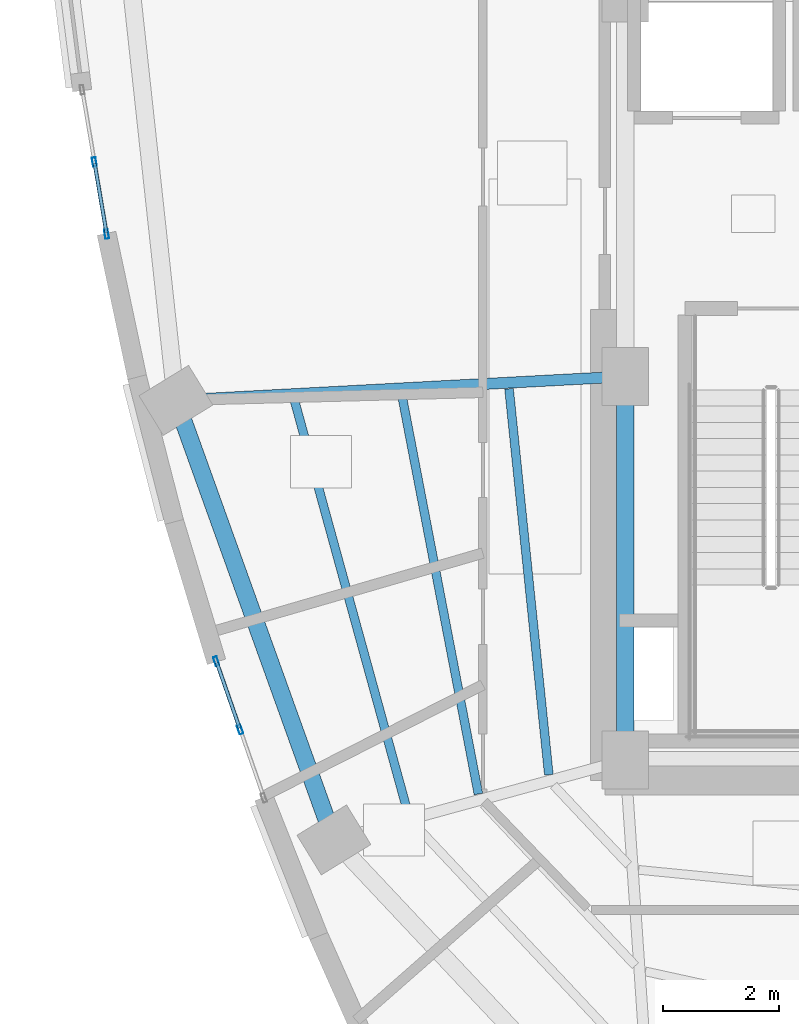
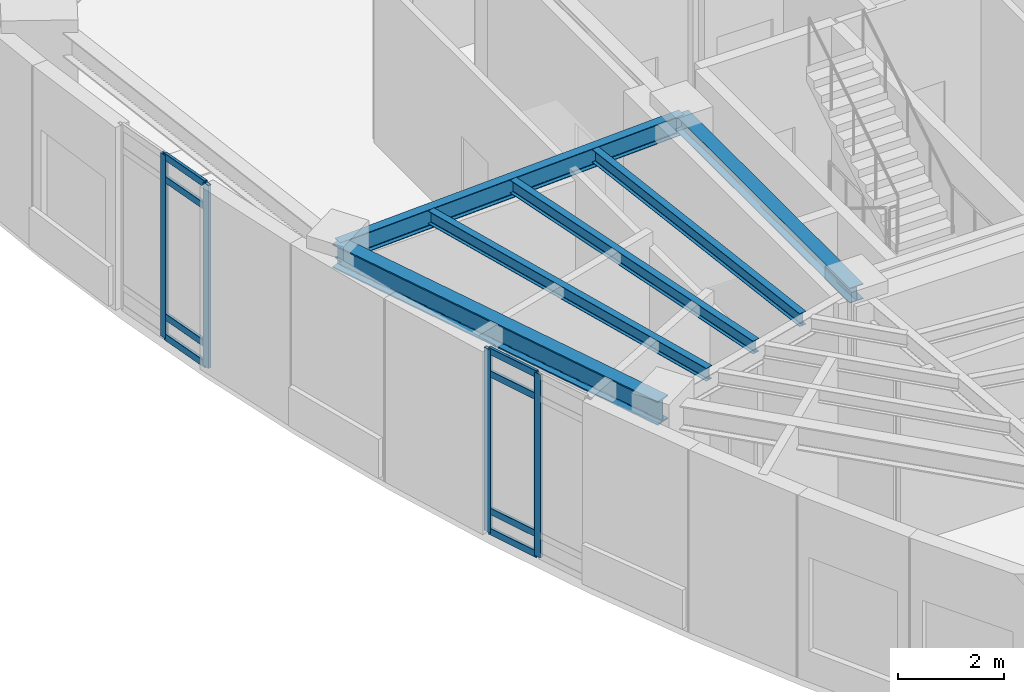
# One storey, part 5 of 18: 12 members, 6 beams, 2 elements without a shape of their own.
"""IFC4 building model written with IfcOpenShell, lengths in metres."""

import ifcopenshell
import ifcopenshell.guid

model = None  # the IFC model being written
_history = None  # IfcOwnerHistory: only IFC2X3 demands one
_inside = {}  # id of a spatial element -> (the spatial element, [elements in it])
_under = {}  # id of a project, library or spatial element -> (it, [spatial elements below it])
_declared = {}  # id of a project -> (the project, [libraries it declares])
_typed = {}  # id of a type object -> (the type object, [elements of that type])
_made_of = {}  # id of a material, layer set ... -> (it, [elements and type objects made of it])


def new_model(schema):
    """Start an empty IFC model of exactly this schema.

    Asked for "IFC4X3", IfcOpenShell would pick the latest addendum, in which some entities
    have other attributes; the version numbers below select the first issue.
    IFC2X3 requires an IfcOwnerHistory on every rooted entity: one is made here for all.
    """
    global model, _history
    if schema == "IFC4X3":
        model = ifcopenshell.file(schema_version=(4, 3, 0, 0))
    else:
        model = ifcopenshell.file(schema=schema)
    _inside.clear()
    _under.clear()
    _declared.clear()
    _typed.clear()
    _made_of.clear()
    _history = None
    if model.schema == "IFC2X3":
        org = make("IfcOrganization", Name="unknown")
        user = make(
            "IfcPersonAndOrganization",
            ThePerson=make("IfcPerson", FamilyName="unknown"),
            TheOrganization=org,
        )
        app = make(
            "IfcApplication",
            ApplicationDeveloper=org,
            Version="unknown",
            ApplicationFullName="unknown",
            ApplicationIdentifier="unknown",
        )
        _history = make(
            "IfcOwnerHistory",
            OwningUser=user,
            OwningApplication=app,
            ChangeAction="ADDED",
            CreationDate=0,
        )
    return model


def make(cls, **values):
    """One entity of the class cls with the attributes given. An attribute that is None is left unset."""
    return model.create_entity(
        cls, **{name: value for name, value in values.items() if value is not None}
    )


def rooted(cls, **values):
    """An entity with a GlobalId (a new one), such as an element, a storey or a relation."""
    return make(cls, GlobalId=ifcopenshell.guid.new(), OwnerHistory=_history, **values)


def si_unit(unit_type, name, prefix=None):
    """IfcSIUnit, for example si_unit("LENGTHUNIT", "METRE", prefix="MILLI")."""
    return make("IfcSIUnit", UnitType=unit_type, Prefix=prefix, Name=name)


def assignment(units):
    """IfcUnitAssignment: the units of a project."""
    return None if units is None else make("IfcUnitAssignment", Units=units)


def point(xyz):
    """IfcCartesianPoint."""
    return None if xyz is None else make("IfcCartesianPoint", Coordinates=xyz)


def direction(xyz):
    """IfcDirection."""
    return None if xyz is None else make("IfcDirection", DirectionRatios=xyz)


def frame(location, z_axis=None, x_axis=None):
    """IfcAxis2Placement3D, a coordinate frame: its origin and axes. An axis left out is left unset."""
    return make(
        "IfcAxis2Placement3D",
        Location=point(location),
        Axis=direction(z_axis),
        RefDirection=direction(x_axis),
    )


def frame_2d(location, x_axis=None):
    """IfcAxis2Placement2D, a coordinate frame in the plane: its origin and x axis."""
    return make(
        "IfcAxis2Placement2D", Location=point(location), RefDirection=direction(x_axis)
    )


def origin():
    """The frame at (0, 0, 0) with its axes left unset."""
    return frame((0.0, 0.0, 0.0))


def origin_2d():
    """The frame at (0, 0) in the plane with its x axis left unset."""
    return frame_2d((0.0, 0.0))


def place(relative_to, where):
    """IfcLocalPlacement: puts the frame where relative to a parent placement (None: the world)."""
    return make(
        "IfcLocalPlacement", PlacementRelTo=relative_to, RelativePlacement=where
    )


def context(
    kind, dimensions, precision=None, world=None, true_north=None, identifier=None
):
    """IfcGeometricRepresentationContext, for example the 3D "Model" context."""
    return make(
        "IfcGeometricRepresentationContext",
        ContextIdentifier=identifier,
        ContextType=kind,
        CoordinateSpaceDimension=dimensions,
        Precision=precision,
        WorldCoordinateSystem=world,
        TrueNorth=true_north,
    )


def subcontext(parent, identifier, kind, view, scale=None):
    """IfcGeometricRepresentationSubContext, for example "Body" below "Model"."""
    return make(
        "IfcGeometricRepresentationSubContext",
        ContextIdentifier=identifier,
        ContextType=kind,
        ParentContext=parent,
        TargetScale=scale,
        TargetView=view,
    )


def project(units=None, contexts=None):
    """IfcProject with its units and contexts."""
    return rooted(
        "IfcProject",
        Name="project",
        RepresentationContexts=contexts,
        UnitsInContext=assignment(units),
    )


def spatial(cls, under=None, at=None, **own):
    """A site, building, storey or space (cls), placed at a placement, below another one or the project."""
    s = rooted(cls, ObjectPlacement=at, **own)
    if under is not None:
        _under.setdefault(under.id(), (under, []))[1].append(s)
    return s


def profile(cls, at=None, kind="AREA", **sizes):
    """A parametric profile (cls). Its sizes go by their IFC names, for example OverallWidth=200.0."""
    return make(cls, ProfileType=kind, Position=at, **sizes)


def hollow_rectangle(**sizes):
    """IfcRectangleHollowProfileDef."""
    return profile("IfcRectangleHollowProfileDef", **sizes)


def i_section(**sizes):
    """IfcIShapeProfileDef."""
    return profile("IfcIShapeProfileDef", **sizes)


def extrude(swept, where, along, depth):
    """IfcExtrudedAreaSolid: the profile swept, set in the frame where, extruded along a direction by depth."""
    return make(
        "IfcExtrudedAreaSolid",
        SweptArea=swept,
        Position=where,
        ExtrudedDirection=direction(along),
        Depth=depth,
    )


def shape(context_of_items, identifier, shape_type, items):
    """IfcShapeRepresentation: the items that make up one representation, for example the "Body"."""
    return make(
        "IfcShapeRepresentation",
        ContextOfItems=context_of_items,
        RepresentationIdentifier=identifier,
        RepresentationType=shape_type,
        Items=items,
    )


def material(Name=None, Category=None):
    """IfcMaterial."""
    return make("IfcMaterial", Name=Name, Category=Category)


def layer(
    of_material, thickness, ventilated=None, Name=None, Category=None, Priority=None
):
    """IfcMaterialLayer: one layer of a wall or slab, of a material (None: an air gap)."""
    return make(
        "IfcMaterialLayer",
        Material=of_material,
        LayerThickness=thickness,
        IsVentilated=ventilated,
        Name=Name,
        Category=Category,
        Priority=Priority,
    )


def layer_set(layers, Name=None):
    """IfcMaterialLayerSet."""
    return make("IfcMaterialLayerSet", MaterialLayers=layers, LayerSetName=Name)


def material_profile(
    of_material, cross_section, Name=None, Category=None, Priority=None
):
    """IfcMaterialProfile: a cross section and its material."""
    return make(
        "IfcMaterialProfile",
        Name=Name,
        Material=of_material,
        Profile=cross_section,
        Priority=Priority,
        Category=Category,
    )


def profile_set(profiles, Name=None, composite=None):
    """IfcMaterialProfileSet."""
    return make(
        "IfcMaterialProfileSet",
        Name=Name,
        MaterialProfiles=profiles,
        CompositeProfile=composite,
    )


def made_of(thing, what):
    """Note that an element or type object is made of a material, layer set ...; save() writes the relation."""
    if what is not None:
        _made_of.setdefault(what.id(), (what, []))[1].append(thing)
    return thing


def type_object(cls, material=None, **own):
    """A type object (cls), such as IfcWallType, which elements share."""
    return made_of(rooted(cls, **own), material)


def element(
    cls,
    number,
    at=None,
    inside=None,
    cuts=None,
    type_object=None,
    material=None,
    context=None,
    identifier="Body",
    shape_type=None,
    held_by="IfcProductDefinitionShape",
    body=None,
    shapes=None,
    **own,
):
    """One element of the class cls, such as IfcWall. Its Tag is "e" and its number.

    at: its placement. inside: the storey or other place that contains it. cuts: it is an
    opening in that element (IfcRelVoidsElement). A single representation is given by context,
    identifier, shape_type and body (its items); several are given by shapes. held_by: the class
    of the entity that holds the representations. save() writes the other relations.
    """
    e = rooted(cls, Tag="e%d" % number, ObjectPlacement=at, **own)
    if body is not None:
        shapes = [shape(context, identifier, shape_type, body)]
    if shapes is not None:
        e.Representation = make(held_by, Representations=shapes)
    if inside is not None:
        _inside.setdefault(inside.id(), (inside, []))[1].append(e)
    if cuts is not None:
        rooted(
            "IfcRelVoidsElement", RelatingBuildingElement=cuts, RelatedOpeningElement=e
        )
    if type_object is not None:
        _typed.setdefault(type_object.id(), (type_object, []))[1].append(e)
    return made_of(e, material)


def aggregate(whole, parts):
    """IfcRelAggregates: a whole, such as a stair, and the parts it consists of."""
    return rooted("IfcRelAggregates", RelatingObject=whole, RelatedObjects=parts)


def save(model, path):
    """Write the relations noted so far, then the file.

    IfcRelAggregates (storeys below a building ...), IfcRelContainedInSpatialStructure (elements
    in a storey), IfcRelDefinesByType, IfcRelAssociatesMaterial and IfcRelDeclares: one each for
    every whole, place, type object, material and project.
    """
    for whole, parts in _under.values():
        aggregate(whole, parts)
    for where, things in _inside.values():
        rooted(
            "IfcRelContainedInSpatialStructure",
            RelatedElements=things,
            RelatingStructure=where,
        )
    for kind, things in _typed.values():
        rooted("IfcRelDefinesByType", RelatedObjects=things, RelatingType=kind)
    for what, things in _made_of.values():
        rooted("IfcRelAssociatesMaterial", RelatedObjects=things, RelatingMaterial=what)
    for by, libraries in _declared.values():
        rooted("IfcRelDeclares", RelatingContext=by, RelatedDefinitions=libraries)
    model.write(path)


model = new_model("IFC4")

# Units and contexts
model_context = context("Model", 3, precision=1e-05, world=origin(), true_north=direction((0.0, 1.0)))
body_context = subcontext(model_context, "Body", "Model", "MODEL_VIEW")
ifc_project = project(units=[si_unit("LENGTHUNIT", "METRE"), si_unit("AREAUNIT", "SQUARE_METRE"), si_unit("VOLUMEUNIT", "CUBIC_METRE"), si_unit("PLANEANGLEUNIT", "RADIAN"), si_unit("MASSUNIT", "GRAM", prefix="KILO")], contexts=[model_context])

# Site, building, storey
site_placement = place(None, origin())
site = spatial("IfcSite", under=ifc_project, at=site_placement, CompositionType="ELEMENT")
building_placement = place(site_placement, origin())
building = spatial("IfcBuilding", under=site, at=building_placement, Name="Ndelora Gate Hotel", CompositionType="ELEMENT")
storey_placement = place(building_placement, frame((0.0, 0.0, 173.75)))
storey = spatial("IfcBuildingStorey", under=building, at=storey_placement, Name="L43", CompositionType="ELEMENT", Elevation=173.75)

# Beams
ifc_material_1 = material(Name="Steel S355", Category="steel")
ifc_material_profile_1 = material_profile(ifc_material_1, i_section(OverallWidth=0.300048828125, OverallDepth=0.35009765625, WebThickness=0.010009765625, FlangeThickness=0.017578125, FilletRadius=0.027099609375, at=origin_2d()), Name="HEA 360")
ifc_profile_set_1 = profile_set([ifc_material_profile_1], Name="Steel S355")
beam_type_1 = type_object("IfcBeamType", Name="BM-CORE-350", PredefinedType="BEAM", material=ifc_profile_set_1)
beam_1_placement = place(storey_placement, frame((-8.0, -6.60009765625, 4.034912109375), z_axis=(0.0, 1.0, 0.0), x_axis=(-1.0, 0.0, 0.0)))
element("IfcBeam", 1, at=beam_1_placement, inside=storey, type_object=beam_type_1, Name="L43 Core Tie Girder CC1-CC8", PredefinedType="BEAM", context=body_context, shape_type="SweptSolid", body=[
    extrude(i_section(OverallWidth=0.300048828125, OverallDepth=0.35009765625, WebThickness=0.010009765625, FlangeThickness=0.017578125, FilletRadius=0.027099609375, at=origin_2d()), origin(), (0.0, 0.0, 1.0), 6.60009765625),
])
ifc_material_profile_2 = material_profile(ifc_material_1, i_section(OverallWidth=0.14990234375, OverallDepth=0.300048828125, WebThickness=0.007080078125, FlangeThickness=0.0107421875, FilletRadius=0.014892578125, at=origin_2d()), Name="IPE 300")
ifc_profile_set_2 = profile_set([ifc_material_profile_2], Name="Steel S355")
beam_type_2 = type_object("IfcBeamType", Name="BM-JST-300", PredefinedType="JOIST", material=ifc_profile_set_2)
beam_2_placement = place(storey_placement, frame((-9.9990234375, -0.21142578125, 4.06005859375), z_axis=(0.10260596827, -0.994722079415, 0.0), x_axis=(0.994722079415, 0.10260596827, 0.0)))
element("IfcBeam", 2, at=beam_2_placement, inside=storey, type_object=beam_type_2, Name="L43 Secondary Composite Floor Joist IN-2", PredefinedType="JOIST", context=body_context, shape_type="SweptSolid", body=[
    extrude(i_section(OverallWidth=0.14990234375, OverallDepth=0.300048828125, WebThickness=0.007080078125, FlangeThickness=0.0107421875, FilletRadius=0.014892578125, at=origin_2d()), origin(), (0.0, 0.0, 1.0), 6.676513671875),
])
beam_3_placement = place(storey_placement, frame((-11.84521484375, -0.30908203125, 4.06005859375), z_axis=(0.188470955684, -0.982078764083, 0.0), x_axis=(0.982078764083, 0.188470955684, 0.0)))
element("IfcBeam", 3, at=beam_3_placement, inside=storey, type_object=beam_type_2, Name="L43 Secondary Composite Floor Joist MID-2", PredefinedType="JOIST", context=body_context, shape_type="SweptSolid", body=[
    extrude(i_section(OverallWidth=0.14990234375, OverallDepth=0.300048828125, WebThickness=0.007080078125, FlangeThickness=0.0107421875, FilletRadius=0.014892578125, at=origin_2d()), origin(), (0.0, 0.0, 1.0), 7.000244140625),
])
beam_4_placement = place(storey_placement, frame((-13.6923828125, -0.406005859375, 4.06005859375), z_axis=(0.2652180483, -0.964188460238, 0.0), x_axis=(0.964188460238, 0.2652180483, 0.0)))
element("IfcBeam", 4, at=beam_4_placement, inside=storey, type_object=beam_type_2, Name="L43 Secondary Composite Floor Joist OUT-2", PredefinedType="JOIST", context=body_context, shape_type="SweptSolid", body=[
    extrude(i_section(OverallWidth=0.14990234375, OverallDepth=0.300048828125, WebThickness=0.007080078125, FlangeThickness=0.0107421875, FilletRadius=0.014892578125, at=origin_2d()), origin(), (0.0, 0.0, 1.0), 7.37353515625),
])
ifc_material_profile_3 = material_profile(ifc_material_1, i_section(OverallWidth=0.18994140625, OverallDepth=0.449951171875, WebThickness=0.009521484375, FlangeThickness=0.0146484375, FilletRadius=0.02099609375, at=origin_2d()), Name="IPE 450")
ifc_profile_set_3 = profile_set([ifc_material_profile_3], Name="Steel S355")
beam_type_3 = type_object("IfcBeamType", Name="BM-RAD-450", PredefinedType="BEAM", material=ifc_profile_set_3)
beam_5_placement = place(storey_placement, frame((-8.0, 0.0, 3.985107421875), z_axis=(-0.998583554121, -0.053206065814, 0.0), x_axis=(0.053206065814, -0.998583554121, 0.0)))
element("IfcBeam", 5, at=beam_5_placement, inside=storey, type_object=beam_type_3, Name="L43 Radial Floor Girder 2", PredefinedType="BEAM", context=body_context, shape_type="SweptSolid", body=[
    extrude(i_section(OverallWidth=0.18994140625, OverallDepth=0.449951171875, WebThickness=0.009521484375, FlangeThickness=0.0146484375, FilletRadius=0.02099609375, at=origin_2d()), origin(), (0.0, 0.0, 1.0), 7.740966796875),
])
ifc_material_profile_4 = material_profile(ifc_material_1, i_section(OverallWidth=0.300048828125, OverallDepth=0.550048828125, WebThickness=0.014892578125, FlangeThickness=0.029052734375, FilletRadius=0.027099609375, at=origin_2d()), Name="HEB 550")
ifc_profile_set_4 = profile_set([ifc_material_profile_4], Name="Steel S355")
beam_type_4 = type_object("IfcBeamType", Name="BM-RING-550", PredefinedType="SPANDREL", material=ifc_profile_set_4)
beam_6_placement = place(storey_placement, frame((-15.72998046875, -0.411865234375, 3.93505859375), z_axis=(0.338244972382, -0.941058095262, 0.0), x_axis=(0.941058095262, 0.338244972382, 0.0)))
element("IfcBeam", 6, at=beam_6_placement, inside=storey, type_object=beam_type_4, Name="L43 Perimeter Spandrel Girder 2", PredefinedType="SPANDREL", context=body_context, shape_type="SweptSolid", body=[
    extrude(i_section(OverallWidth=0.300048828125, OverallDepth=0.550048828125, WebThickness=0.014892578125, FlangeThickness=0.029052734375, FilletRadius=0.027099609375, at=origin_2d()), origin(), (0.0, 0.0, 1.0), 8.03564453125),
])

# Curtain wall, members
ifc_material_2 = material(Name="Bronze Anodised Unitised Aluminium and Low-E Glass", Category="aluminium")
ifc_layer = layer(ifc_material_2, 0.2099609375)
ifc_layer_set = layer_set([ifc_layer], Name="Bronze Anodised Unitised Aluminium and Low-E Glass")
curtain_wall_type = type_object("IfcCurtainWallType", Name="CW-SYS-5", PredefinedType="NOTDEFINED", material=ifc_layer_set)
curtain_wall_1_placement = place(storey_placement, origin())
curtain_wall_1 = element("IfcCurtainWall", 7, at=curtain_wall_1_placement, inside=storey, type_object=curtain_wall_type, Name="L43 Upper Sky-Lobby & Altitude Fitness Curtain Wall 1", PredefinedType="NOTDEFINED")
ifc_material_3 = material(Name="Bronze Anodised Aluminium 6063-T6", Category="aluminium")
ifc_material_profile_5 = material_profile(ifc_material_3, hollow_rectangle(XDim=0.06494140625, YDim=0.159912109375, WallThickness=0.00390625, InnerFilletRadius=0.00390625, OuterFilletRadius=0.008056640625, at=origin_2d()), Name="ALU 160x65x4")
ifc_profile_set_5 = profile_set([ifc_material_profile_5], Name="Bronze Anodised Aluminium 6063-T6")
member_type_1 = type_object("IfcMemberType", Name="MB-CW-MUL150", PredefinedType="MULLION", material=ifc_profile_set_5)
member_1_placement = place(storey_placement, frame((-17.13330078125, 3.690673828125, -0.00390625), z_axis=(0.0, 0.0, 1.0), x_axis=(0.985857126203, 0.167587967095, 0.0)))
member_1 = element("IfcMember", 8, at=member_1_placement, type_object=member_type_1, Name="CW5 mullion 2", PredefinedType="MULLION", context=body_context, shape_type="SweptSolid", body=[
    extrude(hollow_rectangle(XDim=0.06494140625, YDim=0.159912109375, WallThickness=0.00390625, InnerFilletRadius=0.00390625, OuterFilletRadius=0.008056640625, at=origin_2d()), origin(), (0.0, 0.0, 1.0), 4.218017578125),
])
member_2_placement = place(storey_placement, frame((-16.92236328125, 2.44970703125, -0.00390625), z_axis=(0.0, 0.0, 1.0), x_axis=(0.985857126203, 0.167587967095, 0.0)))
member_2 = element("IfcMember", 9, at=member_2_placement, type_object=member_type_1, Name="CW5 mullion 3", PredefinedType="MULLION", context=body_context, shape_type="SweptSolid", body=[
    extrude(hollow_rectangle(XDim=0.06494140625, YDim=0.159912109375, WallThickness=0.00390625, InnerFilletRadius=0.00390625, OuterFilletRadius=0.008056640625, at=origin_2d()), origin(), (0.0, 0.0, 1.0), 4.218017578125),
])

curtain_wall_2_placement = place(storey_placement, origin())
curtain_wall_2 = element("IfcCurtainWall", 10, at=curtain_wall_2_placement, inside=storey, type_object=curtain_wall_type, Name="L43 Upper Sky-Lobby & Altitude Fitness Curtain Wall 2", PredefinedType="NOTDEFINED")
member_3_placement = place(storey_placement, frame((-15.0361328125, -4.898681640625, -0.00390625), z_axis=(0.0, 0.0, 1.0), x_axis=(0.944369534728, 0.32888627499, 0.0)))
member_3 = element("IfcMember", 11, at=member_3_placement, type_object=member_type_1, Name="CW5 mullion 1", PredefinedType="MULLION", context=body_context, shape_type="SweptSolid", body=[
    extrude(hollow_rectangle(XDim=0.06494140625, YDim=0.159912109375, WallThickness=0.00390625, InnerFilletRadius=0.00390625, OuterFilletRadius=0.008056640625, at=origin_2d()), origin(), (0.0, 0.0, 1.0), 4.218017578125),
])
member_4_placement = place(storey_placement, frame((-14.62646484375, -6.074951171875, -0.00390625), z_axis=(0.0, 0.0, 1.0), x_axis=(0.944369534728, 0.32888627499, 0.0)))
member_4 = element("IfcMember", 12, at=member_4_placement, type_object=member_type_1, Name="CW5 mullion 2", PredefinedType="MULLION", context=body_context, shape_type="SweptSolid", body=[
    extrude(hollow_rectangle(XDim=0.06494140625, YDim=0.159912109375, WallThickness=0.00390625, InnerFilletRadius=0.00390625, OuterFilletRadius=0.008056640625, at=origin_2d()), origin(), (0.0, 0.0, 1.0), 4.218017578125),
])

# Member
ifc_material_profile_6 = material_profile(ifc_material_3, hollow_rectangle(XDim=0.06494140625, YDim=0.159912109375, WallThickness=0.00390625, InnerFilletRadius=0.00390625, OuterFilletRadius=0.008056640625, at=origin_2d()), Name="ALU 160x65x4")
ifc_profile_set_6 = profile_set([ifc_material_profile_6], Name="Bronze Anodised Aluminium 6063-T6")
member_type_2 = type_object("IfcMemberType", Name="MB-CW-TRN150", PredefinedType="USERDEFINED", material=ifc_profile_set_6)
member_5_placement = place(storey_placement, frame((-17.12890625, 3.66455078125, 0.032470703125), z_axis=(0.167451832741, -0.985880258303, 0.0), x_axis=(0.985880258303, 0.167451832741, 0.0)))
member_5 = element("IfcMember", 13, at=member_5_placement, type_object=member_type_2, Name="CW5 transom 2.1", ObjectType="TRANSOM", PredefinedType="USERDEFINED", context=body_context, shape_type="SweptSolid", body=[
    extrude(hollow_rectangle(XDim=0.06494140625, YDim=0.159912109375, WallThickness=0.00390625, InnerFilletRadius=0.00390625, OuterFilletRadius=0.008056640625, at=origin_2d()), origin(), (0.0, 0.0, 1.0), 1.205810546875),
])

member_6_placement = place(storey_placement, frame((-17.12890625, 3.66455078125, 0.5), z_axis=(0.167451832741, -0.985880258303, 0.0), x_axis=(0.985880258303, 0.167451832741, 0.0)))
member_6 = element("IfcMember", 14, at=member_6_placement, type_object=member_type_2, Name="CW5 transom 2.2", ObjectType="TRANSOM", PredefinedType="USERDEFINED", context=body_context, shape_type="SweptSolid", body=[
    extrude(hollow_rectangle(XDim=0.06494140625, YDim=0.159912109375, WallThickness=0.00390625, InnerFilletRadius=0.00390625, OuterFilletRadius=0.008056640625, at=origin_2d()), origin(), (0.0, 0.0, 1.0), 1.205810546875),
])

member_7_placement = place(storey_placement, frame((-17.12890625, 3.66455078125, 3.659912109375), z_axis=(0.167451832741, -0.985880258303, 0.0), x_axis=(0.985880258303, 0.167451832741, 0.0)))
member_7 = element("IfcMember", 15, at=member_7_placement, type_object=member_type_2, Name="CW5 transom 2.3", ObjectType="TRANSOM", PredefinedType="USERDEFINED", context=body_context, shape_type="SweptSolid", body=[
    extrude(hollow_rectangle(XDim=0.06494140625, YDim=0.159912109375, WallThickness=0.00390625, InnerFilletRadius=0.00390625, OuterFilletRadius=0.008056640625, at=origin_2d()), origin(), (0.0, 0.0, 1.0), 1.205810546875),
])

member_8_placement = place(storey_placement, frame((-17.12890625, 3.66455078125, 4.177490234375), z_axis=(0.167451832741, -0.985880258303, 0.0), x_axis=(0.985880258303, 0.167451832741, 0.0)))
member_8 = element("IfcMember", 16, at=member_8_placement, type_object=member_type_2, Name="CW5 transom 2.4", ObjectType="TRANSOM", PredefinedType="USERDEFINED", context=body_context, shape_type="SweptSolid", body=[
    extrude(hollow_rectangle(XDim=0.06494140625, YDim=0.159912109375, WallThickness=0.00390625, InnerFilletRadius=0.00390625, OuterFilletRadius=0.008056640625, at=origin_2d()), origin(), (0.0, 0.0, 1.0), 1.205810546875),
])

aggregate(curtain_wall_1, [member_1, member_2, member_5, member_6, member_7, member_8])

member_9_placement = place(storey_placement, frame((-15.02734375, -4.923583984375, 0.032470703125), z_axis=(0.328973164345, -0.944339270146, 0.0), x_axis=(0.944339270146, 0.328973164345, 0.0)))
member_9 = element("IfcMember", 17, at=member_9_placement, type_object=member_type_2, Name="CW5 transom 1.1", ObjectType="TRANSOM", PredefinedType="USERDEFINED", context=body_context, shape_type="SweptSolid", body=[
    extrude(hollow_rectangle(XDim=0.06494140625, YDim=0.159912109375, WallThickness=0.00390625, InnerFilletRadius=0.00390625, OuterFilletRadius=0.008056640625, at=origin_2d()), origin(), (0.0, 0.0, 1.0), 1.192626953125),
])

member_10_placement = place(storey_placement, frame((-15.02734375, -4.923583984375, 0.5), z_axis=(0.328973164345, -0.944339270146, 0.0), x_axis=(0.944339270146, 0.328973164345, 0.0)))
member_10 = element("IfcMember", 18, at=member_10_placement, type_object=member_type_2, Name="CW5 transom 1.2", ObjectType="TRANSOM", PredefinedType="USERDEFINED", context=body_context, shape_type="SweptSolid", body=[
    extrude(hollow_rectangle(XDim=0.06494140625, YDim=0.159912109375, WallThickness=0.00390625, InnerFilletRadius=0.00390625, OuterFilletRadius=0.008056640625, at=origin_2d()), origin(), (0.0, 0.0, 1.0), 1.192626953125),
])

member_11_placement = place(storey_placement, frame((-15.02734375, -4.923583984375, 3.659912109375), z_axis=(0.328973164345, -0.944339270146, 0.0), x_axis=(0.944339270146, 0.328973164345, 0.0)))
member_11 = element("IfcMember", 19, at=member_11_placement, type_object=member_type_2, Name="CW5 transom 1.3", ObjectType="TRANSOM", PredefinedType="USERDEFINED", context=body_context, shape_type="SweptSolid", body=[
    extrude(hollow_rectangle(XDim=0.06494140625, YDim=0.159912109375, WallThickness=0.00390625, InnerFilletRadius=0.00390625, OuterFilletRadius=0.008056640625, at=origin_2d()), origin(), (0.0, 0.0, 1.0), 1.192626953125),
])

member_12_placement = place(storey_placement, frame((-15.02734375, -4.923583984375, 4.177490234375), z_axis=(0.328973164345, -0.944339270146, 0.0), x_axis=(0.944339270146, 0.328973164345, 0.0)))
member_12 = element("IfcMember", 20, at=member_12_placement, type_object=member_type_2, Name="CW5 transom 1.4", ObjectType="TRANSOM", PredefinedType="USERDEFINED", context=body_context, shape_type="SweptSolid", body=[
    extrude(hollow_rectangle(XDim=0.06494140625, YDim=0.159912109375, WallThickness=0.00390625, InnerFilletRadius=0.00390625, OuterFilletRadius=0.008056640625, at=origin_2d()), origin(), (0.0, 0.0, 1.0), 1.192626953125),
])

aggregate(curtain_wall_2, [member_3, member_4, member_9, member_10, member_11, member_12])

save(model, "model.ifc")
